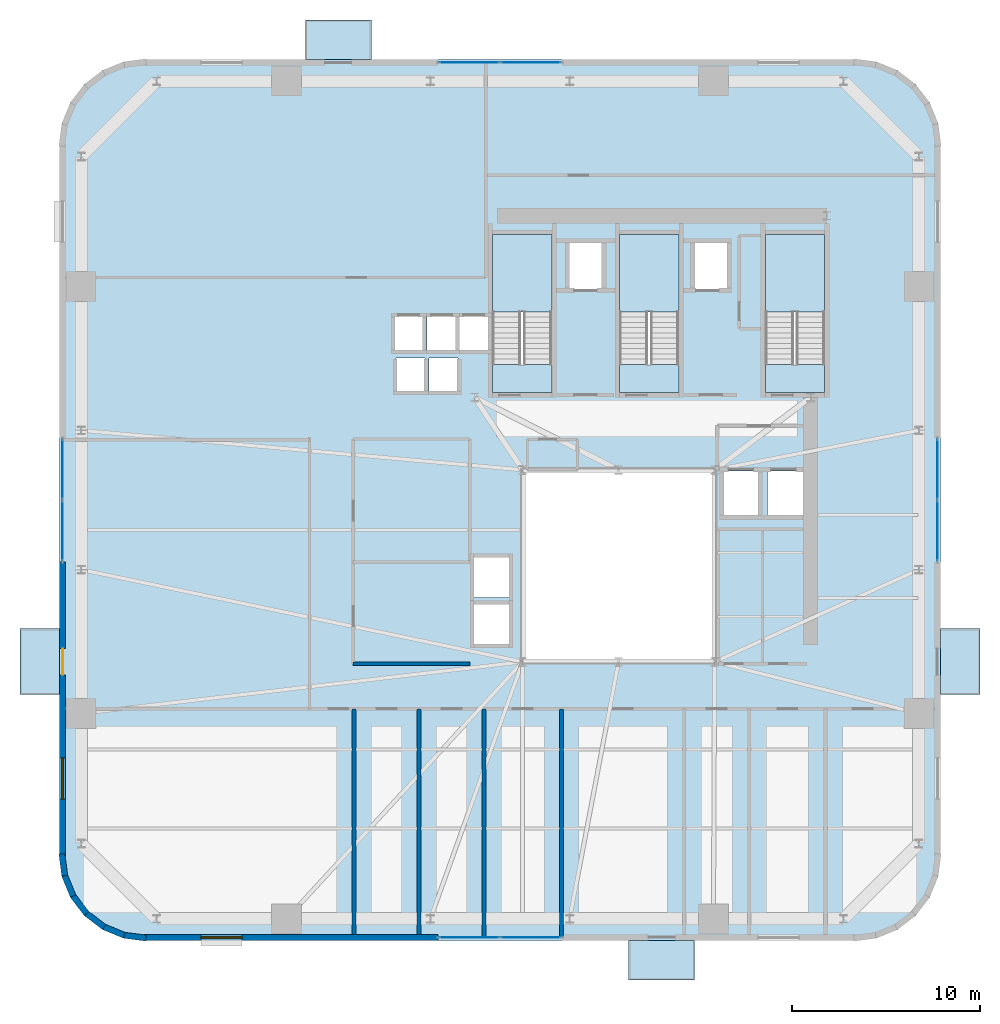
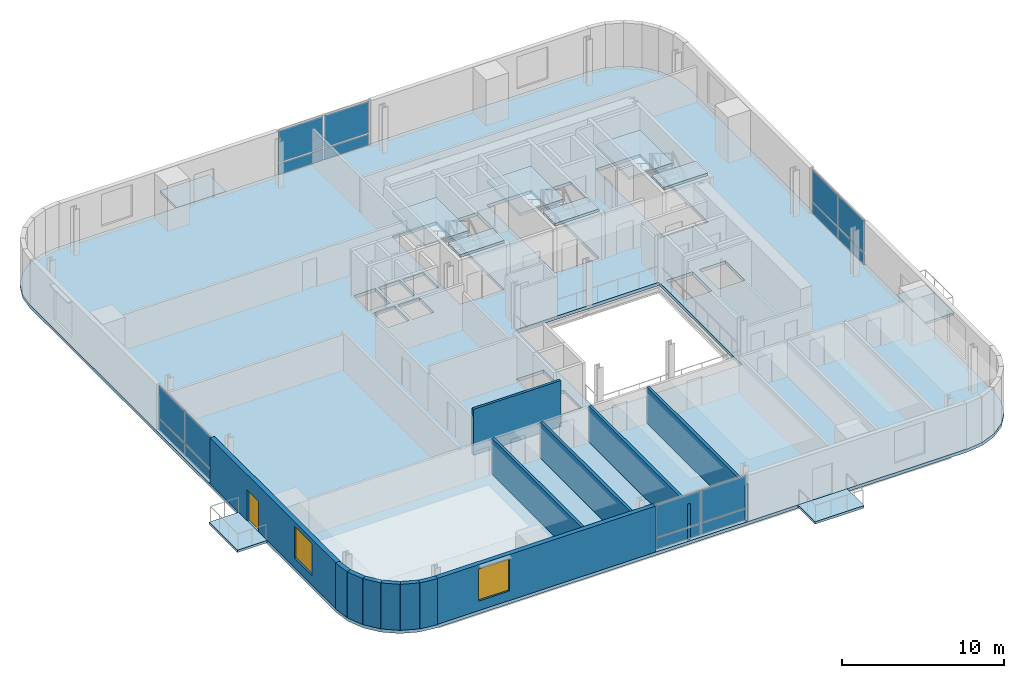
# One storey, part 5 of 14: 16 plates, 13 walls, 11 slabs, 2 windows, 1 door, 3 openings, 7 elements without a shape of their own.
"""IFC4 building model written with IfcOpenShell, lengths in metres."""

from ifc_helpers import new_model, si_unit, direction, frame, frame_2d, origin, origin_2d, place, context, subcontext, project, spatial, polyline, rectangle, outline, extrude, source, transform, mapped, material, layer, layer_set, type_object, element, fill, aggregate, save


model = new_model("IFC4")

# Units and contexts
model_context = context("Model", 3, precision=1e-05, world=origin(), true_north=direction((0.0, 1.0)))
body_context = subcontext(model_context, "Body", "Model", "MODEL_VIEW")
ifc_project = project(units=[si_unit("LENGTHUNIT", "METRE"), si_unit("AREAUNIT", "SQUARE_METRE"), si_unit("VOLUMEUNIT", "CUBIC_METRE"), si_unit("PLANEANGLEUNIT", "RADIAN"), si_unit("MASSUNIT", "GRAM", prefix="KILO")], contexts=[model_context])

# Site, building, storey
site_placement = place(None, origin())
site = spatial("IfcSite", under=ifc_project, at=site_placement, CompositionType="ELEMENT")
building_placement = place(site_placement, origin())
building = spatial("IfcBuilding", under=site, at=building_placement, Name="Vardaveli Station Tower", CompositionType="ELEMENT")
storey_placement = place(building_placement, frame((0.0, 0.0, 122.39990234375)))
storey = spatial("IfcBuildingStorey", under=building, at=storey_placement, Name="L31", CompositionType="ELEMENT", Elevation=122.39990234375)

# Stair, slabs
ifc_material_1 = material(Name="Concrete C40/50", Category="concrete")
stair_type = type_object("IfcStairType", Name="STR-CORE-1500", PredefinedType="HALF_TURN_STAIR", material=ifc_material_1)
stair_1_placement = place(storey_placement, origin())
stair_1 = element("IfcStair", 1, at=stair_1_placement, inside=storey, type_object=stair_type, Name="L31 ST-1", PredefinedType="HALF_TURN_STAIR")
ifc_layer_1 = layer(ifc_material_1, 0.199951171875, Name="Concrete C40/50")
ifc_layer_set_1 = layer_set([ifc_layer_1], Name="Concrete C40/50")
slab_type_1 = type_object("IfcSlabType", Name="SLB-LAND-200", PredefinedType="LANDING", material=ifc_layer_set_1)
slab_1_placement = place(storey_placement, frame((0.0, 0.0, 1.650146484375)))
slab_1 = element("IfcSlab", 2, at=slab_1_placement, type_object=slab_type_1, Name="ST-1 landing 1", PredefinedType="LANDING", context=body_context, shape_type="SweptSolid", body=[
    extrude(outline(polyline([(32.75, 35.199951171875), (32.75, 39.300048828125), (29.60009765625, 39.300048828125), (29.60009765625, 35.199951171875), (32.75, 35.199951171875)])), origin(), (0.0, 0.0, 1.0), 0.199951171875),
])
slab_2_placement = place(storey_placement, frame((0.0, 0.0, 3.5)))
slab_2 = element("IfcSlab", 3, at=slab_2_placement, type_object=slab_type_1, Name="ST-1 landing 2", PredefinedType="LANDING", context=body_context, shape_type="SweptSolid", body=[
    extrude(outline(polyline([(32.75, 30.89990234375), (32.75, 32.39990234375), (29.60009765625, 32.39990234375), (29.60009765625, 30.89990234375), (32.75, 30.89990234375)])), origin(), (0.0, 0.0, 1.0), 0.2001953125),
])
aggregate(stair_1, [slab_1, slab_2])

stair_2_placement = place(storey_placement, origin())
stair_2 = element("IfcStair", 4, at=stair_2_placement, inside=storey, type_object=stair_type, Name="L31 ST-2", PredefinedType="HALF_TURN_STAIR")
slab_3_placement = place(storey_placement, frame((0.0, 0.0, 1.650146484375)))
slab_3 = element("IfcSlab", 5, at=slab_3_placement, type_object=slab_type_1, Name="ST-2 landing 1", PredefinedType="LANDING", context=body_context, shape_type="SweptSolid", body=[
    extrude(outline(polyline([(39.5, 35.199951171875), (39.5, 39.300048828125), (36.35009765625, 39.300048828125), (36.35009765625, 35.199951171875), (39.5, 35.199951171875)])), origin(), (0.0, 0.0, 1.0), 0.199951171875),
])
slab_4_placement = place(storey_placement, frame((0.0, 0.0, 3.5)))
slab_4 = element("IfcSlab", 6, at=slab_4_placement, type_object=slab_type_1, Name="ST-2 landing 2", PredefinedType="LANDING", context=body_context, shape_type="SweptSolid", body=[
    extrude(outline(polyline([(39.5, 30.89990234375), (39.5, 32.39990234375), (36.35009765625, 32.39990234375), (36.35009765625, 30.89990234375), (39.5, 30.89990234375)])), origin(), (0.0, 0.0, 1.0), 0.2001953125),
])
aggregate(stair_2, [slab_3, slab_4])

stair_3_placement = place(storey_placement, origin())
stair_3 = element("IfcStair", 7, at=stair_3_placement, inside=storey, type_object=stair_type, Name="L31 ST-3", PredefinedType="HALF_TURN_STAIR")
slab_5_placement = place(storey_placement, frame((0.0, 0.0, 1.650146484375)))
slab_5 = element("IfcSlab", 8, at=slab_5_placement, type_object=slab_type_1, Name="ST-3 landing 1", PredefinedType="LANDING", context=body_context, shape_type="SweptSolid", body=[
    extrude(outline(polyline([(47.25, 35.199951171875), (47.25, 39.300048828125), (44.10009765625, 39.300048828125), (44.10009765625, 35.199951171875), (47.25, 35.199951171875)])), origin(), (0.0, 0.0, 1.0), 0.199951171875),
])
slab_6_placement = place(storey_placement, frame((0.0, 0.0, 3.5)))
slab_6 = element("IfcSlab", 9, at=slab_6_placement, type_object=slab_type_1, Name="ST-3 landing 2", PredefinedType="LANDING", context=body_context, shape_type="SweptSolid", body=[
    extrude(outline(polyline([(47.25, 30.89990234375), (47.25, 32.39990234375), (44.10009765625, 32.39990234375), (44.10009765625, 30.89990234375), (47.25, 30.89990234375)])), origin(), (0.0, 0.0, 1.0), 0.2001953125),
])
aggregate(stair_3, [slab_5, slab_6])

# Slabs
ifc_material_2 = material(Name="Precast concrete C45/55", Category="concrete")
ifc_layer_2 = layer(ifc_material_2, 0.179931640625, Name="Precast concrete C45/55")
ifc_layer_set_2 = layer_set([ifc_layer_2], Name="Precast concrete C45/55")
slab_type_2 = type_object("IfcSlabType", Name="SLB-LOGGIA-180", PredefinedType="FLOOR", material=ifc_layer_set_2)
slab_7_placement = place(storey_placement, frame((0.0, 0.0, -0.179931640625)))
element("IfcSlab", 10, at=slab_7_placement, inside=storey, type_object=slab_type_2, Name="LOG-L31-S", PredefinedType="FLOOR", context=body_context, shape_type="SweptSolid", body=[
    extrude(outline(polyline([(36.839599609375, -0.300048828125), (40.339599609375, -0.300048828125), (40.339599609375, 1.800048828125), (36.839599609375, 1.800048828125), (36.839599609375, -0.300048828125)])), origin(), (0.0, 0.0, 1.0), 0.179931640625),
])
slab_8_placement = place(storey_placement, frame((0.0, 0.0, -0.179931640625)))
element("IfcSlab", 11, at=slab_8_placement, inside=storey, type_object=slab_type_2, Name="LOG-L31-N", PredefinedType="FLOOR", context=body_context, shape_type="SweptSolid", body=[
    extrude(outline(polyline([(19.660400390625, 48.60009765625), (23.160400390625, 48.60009765625), (23.160400390625, 50.699951171875), (19.660400390625, 50.699951171875), (19.660400390625, 48.60009765625)])), origin(), (0.0, 0.0, 1.0), 0.179931640625),
])
slab_9_placement = place(storey_placement, frame((0.0, 0.0, -0.179931640625)))
element("IfcSlab", 12, at=slab_9_placement, inside=storey, type_object=slab_type_2, Name="LOG-L31-W", PredefinedType="FLOOR", context=body_context, shape_type="SweptSolid", body=[
    extrude(outline(polyline([(4.5, 14.8603515625), (6.60009765625, 14.8603515625), (6.60009765625, 18.3603515625), (4.5, 18.3603515625), (4.5, 14.8603515625)])), origin(), (0.0, 0.0, 1.0), 0.179931640625),
])
slab_10_placement = place(storey_placement, frame((0.0, 0.0, -0.179931640625)))
element("IfcSlab", 13, at=slab_10_placement, inside=storey, type_object=slab_type_2, Name="LOG-L31-E", PredefinedType="FLOOR", context=body_context, shape_type="SweptSolid", body=[
    extrude(outline(polyline([(53.39990234375, 14.8603515625), (55.5, 14.8603515625), (55.5, 18.3603515625), (53.39990234375, 18.3603515625), (53.39990234375, 14.8603515625)])), origin(), (0.0, 0.0, 1.0), 0.179931640625),
])
ifc_layer_3 = layer(ifc_material_1, 0.239990234375, Name="Concrete C40/50")
ifc_layer_set_3 = layer_set([ifc_layer_3], Name="Concrete C40/50")
slab_type_3 = type_object("IfcSlabType", Name="SLB-TOW-240", PredefinedType="FLOOR", material=ifc_layer_set_3)
slab_11_placement = place(storey_placement, frame((0.0, 0.0, -0.239990234375)))
element("IfcSlab", 14, at=slab_11_placement, inside=storey, type_object=slab_type_3, Name="SLB-L31-MAIN", PredefinedType="FLOOR", context=body_context, shape_type="SweptSolid", body=[
    extrude(outline(polyline([(6.60009765625, 6.300048828125), (6.75341796875, 5.13525390625), (7.202880859375, 4.050048828125), (7.91796875, 3.117919921875), (8.85009765625, 2.40283203125), (9.935302734375, 1.953369140625), (11.10009765625, 1.800048828125), (48.89990234375, 1.800048828125), (50.064697265625, 1.953369140625), (51.14990234375, 2.40283203125), (52.08203125, 3.117919921875), (52.797119140625, 4.050048828125), (53.24658203125, 5.13525390625), (53.39990234375, 6.300048828125), (53.39990234375, 44.10009765625), (53.24658203125, 45.2646484375), (52.797119140625, 46.35009765625), (52.08203125, 47.281982421875), (51.14990234375, 47.9970703125), (50.064697265625, 48.44677734375), (48.89990234375, 48.60009765625), (11.10009765625, 48.60009765625), (9.935302734375, 48.44677734375), (8.85009765625, 47.9970703125), (7.91796875, 47.281982421875), (7.202880859375, 46.35009765625), (6.75341796875, 45.2646484375), (6.60009765625, 44.10009765625), (6.60009765625, 6.300048828125)]), holes=[polyline([(31.199951171875, 16.60009765625), (41.39990234375, 16.60009765625), (41.39990234375, 26.800048828125), (31.199951171875, 26.800048828125), (31.199951171875, 16.60009765625)]), polyline([(32.75, 30.89990234375), (32.75, 39.300048828125), (29.60009765625, 39.300048828125), (29.60009765625, 30.89990234375), (32.75, 30.89990234375)]), polyline([(39.5, 30.89990234375), (39.5, 39.300048828125), (36.35009765625, 39.300048828125), (36.35009765625, 30.89990234375), (39.5, 30.89990234375)]), polyline([(47.25, 30.89990234375), (47.25, 39.300048828125), (44.10009765625, 39.300048828125), (44.10009765625, 30.89990234375), (47.25, 30.89990234375)]), polyline([(24.385009765625, 33.135009765625), (25.9150390625, 33.135009765625), (25.9150390625, 34.965087890625), (24.385009765625, 34.965087890625), (24.385009765625, 33.135009765625)]), polyline([(26.135009765625, 33.135009765625), (27.6650390625, 33.135009765625), (27.6650390625, 34.965087890625), (26.135009765625, 34.965087890625), (26.135009765625, 33.135009765625)]), polyline([(27.8349609375, 33.135009765625), (29.364990234375, 33.135009765625), (29.364990234375, 34.965087890625), (27.8349609375, 34.965087890625), (27.8349609375, 33.135009765625)]), polyline([(33.659912109375, 36.409912109375), (35.43994140625, 36.409912109375), (35.43994140625, 38.889892578125), (33.659912109375, 38.889892578125), (33.659912109375, 36.409912109375)]), polyline([(40.31005859375, 36.409912109375), (42.090087890625, 36.409912109375), (42.090087890625, 38.889892578125), (40.31005859375, 38.889892578125), (40.31005859375, 36.409912109375)]), polyline([(24.485107421875, 30.9599609375), (26.014892578125, 30.9599609375), (26.014892578125, 32.739990234375), (24.485107421875, 32.739990234375), (24.485107421875, 30.9599609375)]), polyline([(26.235107421875, 30.9599609375), (27.764892578125, 30.9599609375), (27.764892578125, 32.739990234375), (26.235107421875, 32.739990234375), (26.235107421875, 30.9599609375)]), polyline([(28.5849609375, 17.510009765625), (30.514892578125, 17.510009765625), (30.514892578125, 19.68994140625), (28.5849609375, 19.68994140625), (28.5849609375, 17.510009765625)]), polyline([(28.5849609375, 20.010009765625), (30.514892578125, 20.010009765625), (30.514892578125, 22.18994140625), (28.5849609375, 22.18994140625), (28.5849609375, 20.010009765625)]), polyline([(41.860107421875, 24.360107421875), (43.739990234375, 24.360107421875), (43.739990234375, 26.739990234375), (41.860107421875, 26.739990234375), (41.860107421875, 24.360107421875)]), polyline([(44.2099609375, 24.360107421875), (46.090087890625, 24.360107421875), (46.090087890625, 26.739990234375), (44.2099609375, 26.739990234375), (44.2099609375, 24.360107421875)])]), origin(), (0.0, 0.0, 1.0), 0.239990234375),
])

# Curtain wall, plates
ifc_material_3 = material(Name="Travertine stone and solar-control glass", Category="masonry")
curtain_wall_type = type_object("IfcCurtainWallType", Name="CW-SYS-2", PredefinedType="NOTDEFINED", material=ifc_material_3)
curtain_wall_1_placement = place(storey_placement, origin())
curtain_wall_1 = element("IfcCurtainWall", 15, at=curtain_wall_1_placement, inside=storey, type_object=curtain_wall_type, Name="CW-L31-S", PredefinedType="NOTDEFINED")
ifc_material_4 = material(Name="Double-glazed low-E solar-control glass", Category="glass")
ifc_layer_4 = layer(ifc_material_4, 0.035888671875, Name="Double-glazed low-E solar-control glass")
ifc_layer_set_4 = layer_set([ifc_layer_4], Name="Double-glazed low-E solar-control glass")
plate_type = type_object("IfcPlateType", Name="CW-SYS-2-PAN", PredefinedType="CURTAIN_PANEL", material=ifc_layer_set_4)
shared_shape_1 = source(origin(), body_context, "Body", "SweptSolid", [
    extrude(rectangle(XDim=3.172607421875, YDim=0.035888671875, at=origin_2d()), origin(), (0.0, 0.0, 1.0), 0.822509765625),
])
plate_1_placement = place(storey_placement, frame((28.371337890625, 1.9599609375, 0.0849609375), z_axis=(0.0, 0.0, 1.0), x_axis=(1.0, 0.0, 0.0)))
plate_1 = element("IfcPlate", 16, at=plate_1_placement, type_object=plate_type, Name="CW-2 panel 1.1", PredefinedType="CURTAIN_PANEL", context=body_context, shape_type="MappedRepresentation", body=[
    mapped(shared_shape_1, transform((0.0, 0.0, 0.0), scale=1.0)),
])
plate_2_placement = place(storey_placement, frame((31.628662109375, 1.9599609375, 0.0849609375), z_axis=(0.0, 0.0, 1.0), x_axis=(1.0, 0.0, 0.0)))
plate_2 = element("IfcPlate", 17, at=plate_2_placement, type_object=plate_type, Name="CW-2 panel 2.1", PredefinedType="CURTAIN_PANEL", context=body_context, shape_type="MappedRepresentation", body=[
    mapped(shared_shape_1, transform((0.0, 0.0, 0.0), scale=1.0)),
])

curtain_wall_2_placement = place(storey_placement, origin())
curtain_wall_2 = element("IfcCurtainWall", 18, at=curtain_wall_2_placement, inside=storey, type_object=curtain_wall_type, Name="CW-L31-N", PredefinedType="NOTDEFINED")
plate_3_placement = place(storey_placement, frame((31.628662109375, 48.43994140625, 0.0849609375), z_axis=(0.0, 0.0, 1.0), x_axis=(-1.0, 0.0, 0.0)))
plate_3 = element("IfcPlate", 19, at=plate_3_placement, type_object=plate_type, Name="CW-2 panel 1.1", PredefinedType="CURTAIN_PANEL", context=body_context, shape_type="MappedRepresentation", body=[
    mapped(shared_shape_1, transform((0.0, 0.0, 0.0), scale=1.0)),
])
plate_4_placement = place(storey_placement, frame((28.371337890625, 48.43994140625, 0.0849609375), z_axis=(0.0, 0.0, 1.0), x_axis=(-1.0, 0.0, 0.0)))
plate_4 = element("IfcPlate", 20, at=plate_4_placement, type_object=plate_type, Name="CW-2 panel 2.1", PredefinedType="CURTAIN_PANEL", context=body_context, shape_type="MappedRepresentation", body=[
    mapped(shared_shape_1, transform((0.0, 0.0, 0.0), scale=1.0)),
])

curtain_wall_3_placement = place(storey_placement, origin())
curtain_wall_3 = element("IfcCurtainWall", 21, at=curtain_wall_3_placement, inside=storey, type_object=curtain_wall_type, Name="CW-L31-W", PredefinedType="NOTDEFINED")
plate_5_placement = place(storey_placement, frame((6.760009765625, 26.828857421875, 0.0849609375), z_axis=(0.0, 0.0, 1.0), x_axis=(0.0, -1.0, 0.0)))
plate_5 = element("IfcPlate", 22, at=plate_5_placement, type_object=plate_type, Name="CW-2 panel 1.1", PredefinedType="CURTAIN_PANEL", context=body_context, shape_type="MappedRepresentation", body=[
    mapped(shared_shape_1, transform((0.0, 0.0, 0.0), scale=1.0)),
])
plate_6_placement = place(storey_placement, frame((6.760009765625, 23.5712890625, 0.0849609375), z_axis=(0.0, 0.0, 1.0), x_axis=(0.0, -1.0, 0.0)))
plate_6 = element("IfcPlate", 23, at=plate_6_placement, type_object=plate_type, Name="CW-2 panel 2.1", PredefinedType="CURTAIN_PANEL", context=body_context, shape_type="MappedRepresentation", body=[
    mapped(shared_shape_1, transform((0.0, 0.0, 0.0), scale=1.0)),
])

curtain_wall_4_placement = place(storey_placement, origin())
curtain_wall_4 = element("IfcCurtainWall", 24, at=curtain_wall_4_placement, inside=storey, type_object=curtain_wall_type, Name="CW-L31-E", PredefinedType="NOTDEFINED")
plate_7_placement = place(storey_placement, frame((53.239990234375, 23.5712890625, 0.0849609375), z_axis=(0.0, 0.0, 1.0), x_axis=(0.0, 1.0, 0.0)))
plate_7 = element("IfcPlate", 25, at=plate_7_placement, type_object=plate_type, Name="CW-2 panel 1.1", PredefinedType="CURTAIN_PANEL", context=body_context, shape_type="MappedRepresentation", body=[
    mapped(shared_shape_1, transform((0.0, 0.0, 0.0), scale=1.0)),
])
plate_8_placement = place(storey_placement, frame((53.239990234375, 26.828857421875, 0.0849609375), z_axis=(0.0, 0.0, 1.0), x_axis=(0.0, 1.0, 0.0)))
plate_8 = element("IfcPlate", 26, at=plate_8_placement, type_object=plate_type, Name="CW-2 panel 2.1", PredefinedType="CURTAIN_PANEL", context=body_context, shape_type="MappedRepresentation", body=[
    mapped(shared_shape_1, transform((0.0, 0.0, 0.0), scale=1.0)),
])

# Plate
shared_shape_2 = source(origin(), body_context, "Body", "SweptSolid", [
    extrude(rectangle(XDim=3.172607421875, YDim=0.035888671875, at=origin_2d()), origin(), (0.0, 0.0, 1.0), 2.382568359375),
])
plate_9_placement = place(storey_placement, frame((28.371337890625, 1.9599609375, 0.99267578125), z_axis=(0.0, 0.0, 1.0), x_axis=(1.0, 0.0, 0.0)))
plate_9 = element("IfcPlate", 27, at=plate_9_placement, type_object=plate_type, Name="CW-2 panel 1.2", PredefinedType="CURTAIN_PANEL", context=body_context, shape_type="MappedRepresentation", body=[
    mapped(shared_shape_2, transform((0.0, 0.0, 0.0), scale=1.0)),
])

plate_10_placement = place(storey_placement, frame((31.628662109375, 1.9599609375, 0.99267578125), z_axis=(0.0, 0.0, 1.0), x_axis=(1.0, 0.0, 0.0)))
plate_10 = element("IfcPlate", 28, at=plate_10_placement, type_object=plate_type, Name="CW-2 panel 2.2", PredefinedType="CURTAIN_PANEL", context=body_context, shape_type="MappedRepresentation", body=[
    mapped(shared_shape_2, transform((0.0, 0.0, 0.0), scale=1.0)),
])

aggregate(curtain_wall_1, [plate_1, plate_9, plate_2, plate_10])

plate_11_placement = place(storey_placement, frame((31.628662109375, 48.43994140625, 0.99267578125), z_axis=(0.0, 0.0, 1.0), x_axis=(-1.0, 0.0, 0.0)))
plate_11 = element("IfcPlate", 29, at=plate_11_placement, type_object=plate_type, Name="CW-2 panel 1.2", PredefinedType="CURTAIN_PANEL", context=body_context, shape_type="MappedRepresentation", body=[
    mapped(shared_shape_2, transform((0.0, 0.0, 0.0), scale=1.0)),
])

plate_12_placement = place(storey_placement, frame((28.371337890625, 48.43994140625, 0.99267578125), z_axis=(0.0, 0.0, 1.0), x_axis=(-1.0, 0.0, 0.0)))
plate_12 = element("IfcPlate", 30, at=plate_12_placement, type_object=plate_type, Name="CW-2 panel 2.2", PredefinedType="CURTAIN_PANEL", context=body_context, shape_type="MappedRepresentation", body=[
    mapped(shared_shape_2, transform((0.0, 0.0, 0.0), scale=1.0)),
])

aggregate(curtain_wall_2, [plate_3, plate_11, plate_4, plate_12])

plate_13_placement = place(storey_placement, frame((6.760009765625, 26.828857421875, 0.99267578125), z_axis=(0.0, 0.0, 1.0), x_axis=(0.0, -1.0, 0.0)))
plate_13 = element("IfcPlate", 31, at=plate_13_placement, type_object=plate_type, Name="CW-2 panel 1.2", PredefinedType="CURTAIN_PANEL", context=body_context, shape_type="MappedRepresentation", body=[
    mapped(shared_shape_2, transform((0.0, 0.0, 0.0), scale=1.0)),
])

plate_14_placement = place(storey_placement, frame((6.760009765625, 23.5712890625, 0.99267578125), z_axis=(0.0, 0.0, 1.0), x_axis=(0.0, -1.0, 0.0)))
plate_14 = element("IfcPlate", 32, at=plate_14_placement, type_object=plate_type, Name="CW-2 panel 2.2", PredefinedType="CURTAIN_PANEL", context=body_context, shape_type="MappedRepresentation", body=[
    mapped(shared_shape_2, transform((0.0, 0.0, 0.0), scale=1.0)),
])

aggregate(curtain_wall_3, [plate_5, plate_13, plate_6, plate_14])

plate_15_placement = place(storey_placement, frame((53.239990234375, 23.5712890625, 0.99267578125), z_axis=(0.0, 0.0, 1.0), x_axis=(0.0, 1.0, 0.0)))
plate_15 = element("IfcPlate", 33, at=plate_15_placement, type_object=plate_type, Name="CW-2 panel 1.2", PredefinedType="CURTAIN_PANEL", context=body_context, shape_type="MappedRepresentation", body=[
    mapped(shared_shape_2, transform((0.0, 0.0, 0.0), scale=1.0)),
])

plate_16_placement = place(storey_placement, frame((53.239990234375, 26.828857421875, 0.99267578125), z_axis=(0.0, 0.0, 1.0), x_axis=(0.0, 1.0, 0.0)))
plate_16 = element("IfcPlate", 34, at=plate_16_placement, type_object=plate_type, Name="CW-2 panel 2.2", PredefinedType="CURTAIN_PANEL", context=body_context, shape_type="MappedRepresentation", body=[
    mapped(shared_shape_2, transform((0.0, 0.0, 0.0), scale=1.0)),
])

aggregate(curtain_wall_4, [plate_7, plate_15, plate_8, plate_16])

# Wall, opening, window
ifc_layer_5 = layer(ifc_material_2, 0.320068359375, Name="Precast concrete C45/55")
ifc_layer_set_5 = layer_set([ifc_layer_5], Name="Precast concrete C45/55")
wall_type_1 = type_object("IfcWallType", Name="WAL-EXT-STONE-320", PredefinedType="SOLIDWALL", material=ifc_layer_set_5)
shared_shape_3 = source(origin(), body_context, "Body", "SweptSolid", [
    extrude(rectangle(XDim=15.599853515625, YDim=0.320068359375, at=frame_2d((7.7998046875, 0.0))), origin(), (0.0, 0.0, 1.0), 3.460205078125),
])
wall_1_placement = place(storey_placement, frame((11.10009765625, 1.9599609375, 0.0), z_axis=(0.0, 0.0, 1.0), x_axis=(1.0, 0.0, 0.0)))
wall_1 = element("IfcWall", 35, at=wall_1_placement, inside=storey, type_object=wall_type_1, Name="EW-L31-S1", PredefinedType="SOLIDWALL", context=body_context, shape_type="MappedRepresentation", body=[
    mapped(shared_shape_3, transform((0.0, 0.0, 0.0), scale=1.0)),
])
shared_shape_4 = source(origin(), body_context, "Body", "SweptSolid", [
    extrude(rectangle(XDim=2.199951171875, YDim=2.39990234375, at=frame_2d((1.10009765625, 1.199951171875))), frame((0.0, 0.169921875, 0.0), z_axis=(0.0, -1.0, 0.0), x_axis=(1.0, 0.0, 0.0)), (0.0, 0.0, 1.0), 0.340087890625),
])
opening_1_placement = place(wall_1_placement, frame((3.0048828125, 0.0, 0.719970703125)))
opening_1 = element("IfcOpeningElement", 36, at=opening_1_placement, cuts=wall_1, Name="Opening W-03", PredefinedType="OPENING", context=body_context, shape_type="MappedRepresentation", body=[
    mapped(shared_shape_4, transform((0.0, 0.0, 0.0), scale=1.0)),
])
ifc_material_5 = material(Name="Low-E solar-control glass", Category="glass")
window_type = type_object("IfcWindowType", Name="WIN-LOG-2200x2400", PartitioningType="SINGLE_PANEL", PredefinedType="WINDOW", material=ifc_material_5)
shared_shape_5 = source(origin(), body_context, "Body", "SweptSolid", [
    extrude(rectangle(XDim=2.199951171875, YDim=2.39990234375, at=frame_2d((1.10009765625, 1.199951171875))), frame((0.0, 0.030029296875, 0.0), z_axis=(0.0, -1.0, 0.0), x_axis=(1.0, 0.0, 0.0)), (0.0, 0.0, 1.0), 0.06005859375),
])
window_1_placement = place(opening_1_placement, origin())
window_1 = element("IfcWindow", 37, at=window_1_placement, inside=storey, type_object=window_type, Name="WN-L31-S1", OverallHeight=2.39990234375, OverallWidth=2.199951171875, PartitioningType="SINGLE_PANEL", PredefinedType="WINDOW", context=body_context, shape_type="MappedRepresentation", body=[
    mapped(shared_shape_5, transform((0.0, 0.0, 0.0), scale=1.0)),
])
fill(opening_1, window_1)

# Wall, openings, door, window
wall_2_placement = place(storey_placement, frame((6.760009765625, 21.89990234375, 0.0), z_axis=(0.0, 0.0, 1.0), x_axis=(0.0, -1.0, 0.0)))
wall_2 = element("IfcWall", 38, at=wall_2_placement, inside=storey, type_object=wall_type_1, Name="EW-L31-W2", PredefinedType="SOLIDWALL", context=body_context, shape_type="MappedRepresentation", body=[
    mapped(shared_shape_3, transform((0.0, 0.0, 0.0), scale=1.0)),
])
shared_shape_6 = source(origin(), body_context, "Body", "SweptSolid", [
    extrude(rectangle(XDim=1.39990234375, YDim=2.300048828125, at=frame_2d((0.699951171875, 1.14990234375))), frame((0.0, 0.169921875, 0.0), z_axis=(0.0, -1.0, 0.0), x_axis=(1.0, 0.0, 0.0)), (0.0, 0.0, 1.0), 0.340087890625),
])
opening_2_placement = place(wall_2_placement, frame((4.589599609375, 0.0, 0.0)))
opening_2 = element("IfcOpeningElement", 39, at=opening_2_placement, cuts=wall_2, Name="Opening D-09", PredefinedType="OPENING", context=body_context, shape_type="MappedRepresentation", body=[
    mapped(shared_shape_6, transform((0.0, 0.0, 0.0), scale=1.0)),
])
opening_3_placement = place(wall_2_placement, frame((10.39501953125, 0.0, 0.719970703125)))
opening_3 = element("IfcOpeningElement", 40, at=opening_3_placement, cuts=wall_2, Name="Opening W-03", PredefinedType="OPENING", context=body_context, shape_type="MappedRepresentation", body=[
    mapped(shared_shape_4, transform((0.0, 0.0, 0.0), scale=1.0)),
])
ifc_material_6 = material(Name="Thermally broken aluminium glass", Category="aluminium")
door_type = type_object("IfcDoorType", Name="DR-LOG-1400x2300", OperationType="DOUBLE_DOOR_SLIDING", PredefinedType="DOOR", material=ifc_material_6)
shared_shape_7 = source(origin(), body_context, "Body", "SweptSolid", [
    extrude(rectangle(XDim=1.39990234375, YDim=2.300048828125, at=frame_2d((0.699951171875, 1.14990234375))), frame((0.0, 0.02490234375, 0.0), z_axis=(0.0, -1.0, 0.0), x_axis=(1.0, 0.0, 0.0)), (0.0, 0.0, 1.0), 0.050048828125),
])
door_placement = place(opening_2_placement, frame((1.39990234375, 0.0, 0.0), z_axis=(0.0, 0.0, 1.0), x_axis=(-1.0, 0.0, 0.0)))
door = element("IfcDoor", 41, at=door_placement, inside=storey, type_object=door_type, Name="DLG-L31-W", OperationType="DOUBLE_DOOR_SLIDING", OverallHeight=2.300048828125, OverallWidth=1.39990234375, PredefinedType="DOOR", context=body_context, shape_type="MappedRepresentation", body=[
    mapped(shared_shape_7, transform((0.0, 0.0, 0.0), scale=1.0)),
])
fill(opening_2, door)
window_2_placement = place(opening_3_placement, origin())
window_2 = element("IfcWindow", 42, at=window_2_placement, inside=storey, type_object=window_type, Name="WN-L31-W2", OverallHeight=2.39990234375, OverallWidth=2.199951171875, PartitioningType="SINGLE_PANEL", PredefinedType="WINDOW", context=body_context, shape_type="MappedRepresentation", body=[
    mapped(shared_shape_5, transform((0.0, 0.0, 0.0), scale=1.0)),
])
fill(opening_3, window_2)

# Walls
shared_shape_8 = source(origin(), body_context, "Body", "SweptSolid", [
    extrude(rectangle(XDim=1.170654296875, YDim=0.320068359375, at=frame_2d((0.58544921875, 0.0))), origin(), (0.0, 0.0, 1.0), 3.460205078125),
])
wall_3_placement = place(storey_placement, frame((6.724365234375, 6.400634765625, 0.0), z_axis=(0.0, 0.0, 1.0), x_axis=(0.128269133229, -0.991739395941, 0.0)))
element("IfcWall", 43, at=wall_3_placement, inside=storey, type_object=wall_type_1, Name="EW-L31-CR1-1", PredefinedType="SOLIDWALL", context=body_context, shape_type="MappedRepresentation", body=[
    mapped(shared_shape_8, transform((0.0, 0.0, 0.0), scale=1.0)),
])
shared_shape_9 = source(origin(), body_context, "Body", "SweptSolid", [
    extrude(rectangle(XDim=1.1689453125, YDim=0.320068359375, at=frame_2d((0.58447265625, 0.0))), origin(), (0.0, 0.0, 1.0), 3.460205078125),
])
for number, where, z_axis, x_axis, name in (
    (44, (6.87451171875, 5.23974609375, 0.0), (0.0, 0.0, 1.0), (0.381127904695, -0.924522320046, 0.0), "EW-L31-CR1-2"),
    (45, (7.320068359375, 4.158935546875, 0.0), (0.0, 0.0, 1.0), (0.608387696831, -0.793639975269, 0.0), "EW-L31-CR1-3"),
):
    element("IfcWall", number, at=place(storey_placement, frame(where, z_axis=z_axis, x_axis=x_axis)), inside=storey, type_object=wall_type_1, Name=name, PredefinedType="SOLIDWALL", context=body_context, shape_type="MappedRepresentation", body=[
        mapped(shared_shape_9, transform((0.0, 0.0, 0.0), scale=1.0)),
    ])
shared_shape_10 = source(origin(), body_context, "Body", "SweptSolid", [
    extrude(rectangle(XDim=1.168701171875, YDim=0.320068359375, at=frame_2d((0.58447265625, 0.0))), origin(), (0.0, 0.0, 1.0), 3.460205078125),
])
wall_4_placement = place(storey_placement, frame((8.03125, 3.231201171875, 0.0), z_axis=(0.0, 0.0, 1.0), x_axis=(0.793663520347, -0.608356981114, 0.0)))
element("IfcWall", 46, at=wall_4_placement, inside=storey, type_object=wall_type_1, Name="EW-L31-CR1-4", PredefinedType="SOLIDWALL", context=body_context, shape_type="MappedRepresentation", body=[
    mapped(shared_shape_10, transform((0.0, 0.0, 0.0), scale=1.0)),
])
shared_shape_11 = source(origin(), body_context, "Body", "SweptSolid", [
    extrude(rectangle(XDim=1.16943359375, YDim=0.320068359375, at=frame_2d((0.584716796875, 0.0))), origin(), (0.0, 0.0, 1.0), 3.460205078125),
])
wall_5_placement = place(storey_placement, frame((8.958740234375, 2.520263671875, 0.0), z_axis=(0.0, 0.0, 1.0), x_axis=(0.924479075121, -0.381232789334, 0.0)))
element("IfcWall", 47, at=wall_5_placement, inside=storey, type_object=wall_type_1, Name="EW-L31-CR1-5", PredefinedType="SOLIDWALL", context=body_context, shape_type="MappedRepresentation", body=[
    mapped(shared_shape_11, transform((0.0, 0.0, 0.0), scale=1.0)),
])
shared_shape_12 = source(origin(), body_context, "Body", "SweptSolid", [
    extrude(rectangle(XDim=1.170166015625, YDim=0.320068359375, at=frame_2d((0.5849609375, 0.0))), origin(), (0.0, 0.0, 1.0), 3.460205078125),
])
wall_6_placement = place(storey_placement, frame((10.039794921875, 2.074462890625, 0.0), z_axis=(0.0, 0.0, 1.0), x_axis=(0.991762485493, -0.128090485085, 0.0)))
element("IfcWall", 48, at=wall_6_placement, inside=storey, type_object=wall_type_1, Name="EW-L31-CR1-6", PredefinedType="SOLIDWALL", context=body_context, shape_type="MappedRepresentation", body=[
    mapped(shared_shape_12, transform((0.0, 0.0, 0.0), scale=1.0)),
])
ifc_material_7 = material(Name="Acoustic twin-stud gypsum partition")
ifc_layer_6 = layer(ifc_material_7, 0.199951171875, Name="Acoustic twin-stud gypsum partition")
ifc_layer_set_6 = layer_set([ifc_layer_6], Name="Acoustic twin-stud gypsum partition")
wall_type_2 = type_object("IfcWallType", Name="WAL-PARTY-200", PredefinedType="PARTITIONING", material=ifc_layer_set_6)
shared_shape_13 = source(origin(), body_context, "Body", "SweptSolid", [
    extrude(rectangle(XDim=11.97802734375, YDim=0.199951171875, at=frame_2d((5.989013671875, 0.0))), origin(), (0.0, 0.0, 1.0), 2.7021484375),
])
for number, where, z_axis, x_axis, name in (
    (49, (22.25, 2.1220703125, 0.0), (0.0, 0.0, 1.0), (0.0, 1.0, 0.0), "W-L31-PS1"),
    (50, (25.699951171875, 2.1220703125, 0.0), (0.0, 0.0, 1.0), (0.0, 1.0, 0.0), "W-L31-PS2"),
):
    element("IfcWall", number, at=place(storey_placement, frame(where, z_axis=z_axis, x_axis=x_axis)), inside=storey, type_object=wall_type_2, Name=name, PredefinedType="PARTITIONING", context=body_context, shape_type="MappedRepresentation", body=[
        mapped(shared_shape_13, transform((0.0, 0.0, 0.0), scale=1.0)),
    ])
shared_shape_14 = source(origin(), body_context, "Body", "SweptSolid", [
    extrude(rectangle(XDim=12.170166015625, YDim=0.199951171875, at=frame_2d((6.0849609375, 0.0))), origin(), (0.0, 0.0, 1.0), 2.7021484375),
])
for number, where, z_axis, x_axis, name in (
    (51, (29.14990234375, 1.929931640625, 0.0), (0.0, 0.0, 1.0), (0.0, 1.0, 0.0), "W-L31-PS3"),
    (52, (33.26904296875, 1.929931640625, 0.0), (0.0, 0.0, 1.0), (0.0, 1.0, 0.0), "W-L31-PS4"),
):
    element("IfcWall", number, at=place(storey_placement, frame(where, z_axis=z_axis, x_axis=x_axis)), inside=storey, type_object=wall_type_2, Name=name, PredefinedType="PARTITIONING", context=body_context, shape_type="MappedRepresentation", body=[
        mapped(shared_shape_14, transform((0.0, 0.0, 0.0), scale=1.0)),
    ])
ifc_material_8 = material(Name="Fire-rated gypsum stud partition")
ifc_layer_7 = layer(ifc_material_8, 0.179931640625, Name="Fire-rated gypsum stud partition")
ifc_layer_set_7 = layer_set([ifc_layer_7], Name="Fire-rated gypsum stud partition")
wall_type_3 = type_object("IfcWallType", Name="WAL-CORR-180", PredefinedType="PARTITIONING", material=ifc_layer_set_7)
shared_shape_15 = source(origin(), body_context, "Body", "SweptSolid", [
    extrude(rectangle(XDim=6.199951171875, YDim=0.179931640625, at=frame_2d((3.10009765625, 0.0))), origin(), (0.0, 0.0, 1.0), 3.460205078125),
])
wall_7_placement = place(storey_placement, frame((22.199951171875, 16.5, 0.0), z_axis=(0.0, 0.0, 1.0), x_axis=(1.0, 0.0, 0.0)))
element("IfcWall", 53, at=wall_7_placement, inside=storey, type_object=wall_type_3, Name="W-L31-ATW1-S", PredefinedType="PARTITIONING", context=body_context, shape_type="MappedRepresentation", body=[
    mapped(shared_shape_15, transform((0.0, 0.0, 0.0), scale=1.0)),
])

save(model, "model.ifc")
